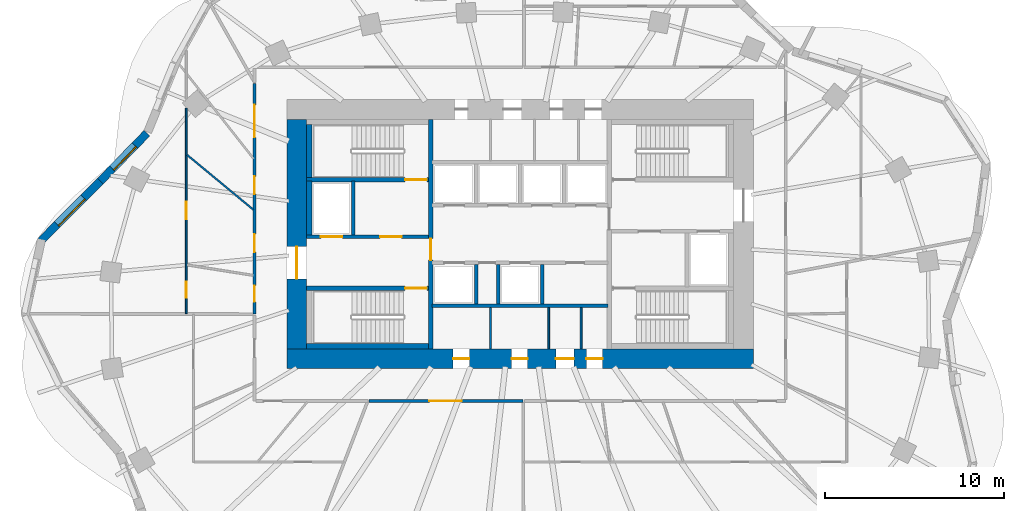
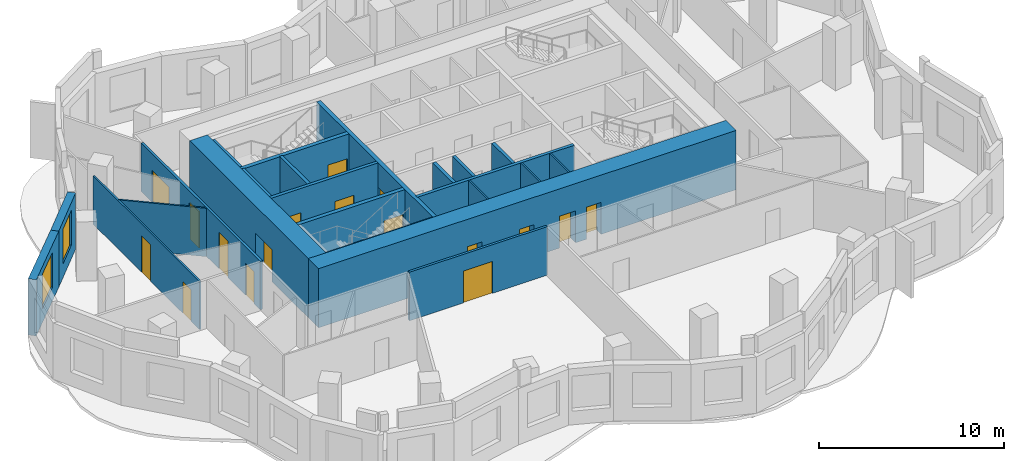
# One storey, part 4 of 10: 23 walls, 17 doors, 2 windows, 19 openings.
"""IFC4 building model written with IfcOpenShell, lengths in metres."""

from ifc_helpers import new_model, si_unit, direction, frame, frame_2d, origin, place, context, subcontext, project, spatial, rectangle, extrude, material, layer, layer_set, type_object, element, fill, save


model = new_model("IFC4")

# Units and contexts
model_context = context("Model", 3, precision=1e-05, world=origin(), true_north=direction((0.0, 1.0)))
body_context = subcontext(model_context, "Body", "Model", "MODEL_VIEW")
ifc_project = project(units=[si_unit("LENGTHUNIT", "METRE"), si_unit("AREAUNIT", "SQUARE_METRE"), si_unit("VOLUMEUNIT", "CUBIC_METRE"), si_unit("PLANEANGLEUNIT", "RADIAN"), si_unit("MASSUNIT", "GRAM", prefix="KILO")], contexts=[model_context])

# Site, building, storey
site_placement = place(None, origin())
site = spatial("IfcSite", under=ifc_project, at=site_placement, CompositionType="ELEMENT")
building_placement = place(site_placement, origin())
building = spatial("IfcBuilding", under=site, at=building_placement, Name="Rubra Terraces Tower", CompositionType="ELEMENT")
storey_placement = place(building_placement, frame((0.0, 0.0, 153.89990234375)))
storey = spatial("IfcBuildingStorey", under=building, at=storey_placement, Name="L37", CompositionType="ELEMENT", Elevation=153.89990234375)

# Wall, opening, window
ifc_material_1 = material(Name="Brick masonry red-brown", Category="masonry")
ifc_layer_1 = layer(ifc_material_1, 0.449951171875)
ifc_layer_set_1 = layer_set([ifc_layer_1], Name="Brick masonry red-brown")
wall_type_1 = type_object("IfcWallType", Name="Brick facade wall 450", PredefinedType="SOLIDWALL", material=ifc_layer_set_1)
wall_1_placement = place(storey_placement, frame((-20.795654296875, 10.1240234375, 0.0), z_axis=(0.0, 0.0, 1.0), x_axis=(-0.697121527554, -0.716952980203, 0.0)))
wall_1 = element("IfcWall", 1, at=wall_1_placement, inside=storey, type_object=wall_type_1, Name="Facade wall L37 bay 18", PredefinedType="SOLIDWALL", context=body_context, shape_type="SweptSolid", body=[
    extrude(rectangle(XDim=3.7177734375, YDim=0.449951171875, at=frame_2d((1.85888671875, 0.0))), origin(), (0.0, 0.0, 1.0), 3.7001953125),
])
opening_1_placement = place(wall_1_placement, frame((0.958984375, 0.0, 0.89990234375)))
opening_1 = element("IfcOpeningElement", 2, at=opening_1_placement, cuts=wall_1, Name="Opening W6B", PredefinedType="OPENING", context=body_context, shape_type="SweptSolid", body=[
    extrude(rectangle(XDim=1.800048828125, YDim=2.300048828125, at=frame_2d((0.89990234375, 1.14990234375))), frame((0.0, 0.23486328125, 0.0), z_axis=(0.0, -1.0, 0.0), x_axis=(1.0, 0.0, 0.0)), (0.0, 0.0, 1.0), 0.469970703125),
])
ifc_material_2 = material(Name="Clear glass in aluminium frame", Category="aluminium")
window_type_1 = type_object("IfcWindowType", Name="Fixed deep-set window at wind fin tall storey 1800 x 2300", PartitioningType="SINGLE_PANEL", PredefinedType="WINDOW", material=ifc_material_2)
window_1_placement = place(opening_1_placement, origin())
window_1 = element("IfcWindow", 3, at=window_1_placement, inside=storey, type_object=window_type_1, Name="Window L37 bay 18", OverallHeight=2.300048828125, OverallWidth=1.800048828125, PartitioningType="SINGLE_PANEL", PredefinedType="WINDOW", context=body_context, shape_type="SweptSolid", body=[
    extrude(rectangle(XDim=1.800048828125, YDim=2.300048828125, at=frame_2d((0.89990234375, 1.14990234375))), frame((0.0, 0.135009765625, 0.0), z_axis=(0.0, -1.0, 0.0), x_axis=(1.0, 0.0, 0.0)), (0.0, 0.0, 1.0), 0.06005859375),
])
fill(opening_1, window_1)

wall_2_placement = place(storey_placement, frame((-23.389892578125, 7.45556640625, 0.0), z_axis=(0.0, 0.0, 1.0), x_axis=(-0.705349231702, -0.708859973011, 0.0)))
wall_2 = element("IfcWall", 4, at=wall_2_placement, inside=storey, type_object=wall_type_1, Name="Facade wall L37 bay 19", PredefinedType="SOLIDWALL", context=body_context, shape_type="SweptSolid", body=[
    extrude(rectangle(XDim=4.728759765625, YDim=0.449951171875, at=frame_2d((2.3642578125, 0.0))), origin(), (0.0, 0.0, 1.0), 3.7001953125),
])
opening_2_placement = place(wall_2_placement, frame((1.314453125, 0.0, 0.89990234375)))
opening_2 = element("IfcOpeningElement", 5, at=opening_2_placement, cuts=wall_2, Name="Opening W1B", PredefinedType="OPENING", context=body_context, shape_type="SweptSolid", body=[
    extrude(rectangle(XDim=2.10009765625, YDim=2.300048828125, at=frame_2d((1.050048828125, 1.14990234375))), frame((0.0, 0.23486328125, 0.0), z_axis=(0.0, -1.0, 0.0), x_axis=(1.0, 0.0, 0.0)), (0.0, 0.0, 1.0), 0.469970703125),
])
window_type_2 = type_object("IfcWindowType", Name="Fixed deep-set window tall storey 2100 x 2300", PartitioningType="SINGLE_PANEL", PredefinedType="WINDOW", material=ifc_material_2)
window_2_placement = place(opening_2_placement, origin())
window_2 = element("IfcWindow", 6, at=window_2_placement, inside=storey, type_object=window_type_2, Name="Window L37 bay 19", OverallHeight=2.300048828125, OverallWidth=2.10009765625, PartitioningType="SINGLE_PANEL", PredefinedType="WINDOW", context=body_context, shape_type="SweptSolid", body=[
    extrude(rectangle(XDim=2.10009765625, YDim=2.300048828125, at=frame_2d((1.050048828125, 1.14990234375))), frame((0.0, 0.135009765625, 0.0), z_axis=(0.0, -1.0, 0.0), x_axis=(1.0, 0.0, 0.0)), (0.0, 0.0, 1.0), 0.06005859375),
])
fill(opening_2, window_2)

# Wall, openings, doors
ifc_material_3 = material(Name="Concrete C60", Category="concrete")
ifc_layer_2 = layer(ifc_material_3, 1.10009765625)
ifc_layer_set_2 = layer_set([ifc_layer_2], Name="Concrete C60")
wall_type_2 = type_object("IfcWallType", Name="CORE WALL 1100 C60", PredefinedType="SHEAR", material=ifc_layer_set_2)
wall_3_placement = place(storey_placement, frame((-13.0, -2.449951171875, 0.0), z_axis=(0.0, 0.0, 1.0), x_axis=(1.0, 0.0, 0.0)))
wall_3 = element("IfcWall", 7, at=wall_3_placement, inside=storey, type_object=wall_type_2, Name="CORE WALL S L37", PredefinedType="SHEAR", context=body_context, shape_type="SweptSolid", body=[
    extrude(rectangle(XDim=26.0, YDim=1.10009765625, at=frame_2d((13.0, 0.0))), origin(), (0.0, 0.0, 1.0), 3.900146484375),
])
opening_3_placement = place(wall_3_placement, frame((9.27490234375, 0.0, 0.0)))
opening_3 = element("IfcOpeningElement", 8, at=opening_3_placement, cuts=wall_3, Name="Opening L37.C21", PredefinedType="OPENING", context=body_context, shape_type="SweptSolid", body=[
    extrude(rectangle(XDim=0.89990234375, YDim=2.10009765625, at=frame_2d((0.449951171875, 1.050048828125))), frame((0.0, 0.56005859375, 0.0), z_axis=(0.0, -1.0, 0.0), x_axis=(1.0, 0.0, 0.0)), (0.0, 0.0, 1.0), 1.1201171875),
])
opening_4_placement = place(wall_3_placement, frame((12.52490234375, 0.0, 0.0)))
opening_4 = element("IfcOpeningElement", 9, at=opening_4_placement, cuts=wall_3, Name="Opening L37.C22", PredefinedType="OPENING", context=body_context, shape_type="SweptSolid", body=[
    extrude(rectangle(XDim=0.89990234375, YDim=2.10009765625, at=frame_2d((0.449951171875, 1.050048828125))), frame((0.0, 0.56005859375, 0.0), z_axis=(0.0, -1.0, 0.0), x_axis=(1.0, 0.0, 0.0)), (0.0, 0.0, 1.0), 1.1201171875),
])
opening_5_placement = place(wall_3_placement, frame((15.0, 0.0, 0.0)))
opening_5 = element("IfcOpeningElement", 10, at=opening_5_placement, cuts=wall_3, Name="Opening L37.C23", PredefinedType="OPENING", context=body_context, shape_type="SweptSolid", body=[
    extrude(rectangle(XDim=1.0, YDim=2.10009765625, at=frame_2d((0.5, 1.050048828125))), frame((0.0, 0.56005859375, 0.0), z_axis=(0.0, -1.0, 0.0), x_axis=(1.0, 0.0, 0.0)), (0.0, 0.0, 1.0), 1.1201171875),
])
opening_6_placement = place(wall_3_placement, frame((16.699951171875, 0.0, 0.0)))
opening_6 = element("IfcOpeningElement", 11, at=opening_6_placement, cuts=wall_3, Name="Opening L37.C24", PredefinedType="OPENING", context=body_context, shape_type="SweptSolid", body=[
    extrude(rectangle(XDim=0.89990234375, YDim=2.10009765625, at=frame_2d((0.449951171875, 1.050048828125))), frame((0.0, 0.56005859375, 0.0), z_axis=(0.0, -1.0, 0.0), x_axis=(1.0, 0.0, 0.0)), (0.0, 0.0, 1.0), 1.1201171875),
])
ifc_material_4 = material(Name="Painted steel", Category="steel")
door_type_1 = type_object("IfcDoorType", Name="Fire door 1000x2100 single", OperationType="NOTDEFINED", PredefinedType="DOOR", material=ifc_material_4)
door_1_placement = place(opening_5_placement, origin())
door_1 = element("IfcDoor", 12, at=door_1_placement, inside=storey, type_object=door_type_1, Name="Accessible WC door", OperationType="SINGLE_SWING_LEFT", OverallHeight=2.10009765625, OverallWidth=1.0, PredefinedType="DOOR", context=body_context, shape_type="SweptSolid", body=[
    extrude(rectangle(XDim=1.0, YDim=2.10009765625, at=frame_2d((0.5, 1.050048828125))), frame((0.0, 0.02490234375, 0.0), z_axis=(0.0, -1.0, 0.0), x_axis=(1.0, 0.0, 0.0)), (0.0, 0.0, 1.0), 0.050048828125),
])
fill(opening_5, door_1)
door_type_2 = type_object("IfcDoorType", Name="Fire door 900x2100 single", OperationType="NOTDEFINED", PredefinedType="DOOR", material=ifc_material_4)
door_2_placement = place(opening_3_placement, origin())
door_2 = element("IfcDoor", 13, at=door_2_placement, inside=storey, type_object=door_type_2, Name="Ladies WC door", OperationType="SINGLE_SWING_LEFT", OverallHeight=2.10009765625, OverallWidth=0.89990234375, PredefinedType="DOOR", context=body_context, shape_type="SweptSolid", body=[
    extrude(rectangle(XDim=0.89990234375, YDim=2.10009765625, at=frame_2d((0.449951171875, 1.050048828125))), frame((0.0, 0.02490234375, 0.0), z_axis=(0.0, -1.0, 0.0), x_axis=(1.0, 0.0, 0.0)), (0.0, 0.0, 1.0), 0.050048828125),
])
fill(opening_3, door_2)
door_3_placement = place(opening_4_placement, origin())
door_3 = element("IfcDoor", 14, at=door_3_placement, inside=storey, type_object=door_type_2, Name="Gents WC door", OperationType="SINGLE_SWING_RIGHT", OverallHeight=2.10009765625, OverallWidth=0.89990234375, PredefinedType="DOOR", context=body_context, shape_type="SweptSolid", body=[
    extrude(rectangle(XDim=0.89990234375, YDim=2.10009765625, at=frame_2d((0.449951171875, 1.050048828125))), frame((0.0, 0.02490234375, 0.0), z_axis=(0.0, -1.0, 0.0), x_axis=(1.0, 0.0, 0.0)), (0.0, 0.0, 1.0), 0.050048828125),
])
fill(opening_4, door_3)
door_4_placement = place(opening_6_placement, origin())
door_4 = element("IfcDoor", 15, at=door_4_placement, inside=storey, type_object=door_type_2, Name="Cleaner's store door", OperationType="SINGLE_SWING_RIGHT", OverallHeight=2.10009765625, OverallWidth=0.89990234375, PredefinedType="DOOR", context=body_context, shape_type="SweptSolid", body=[
    extrude(rectangle(XDim=0.89990234375, YDim=2.10009765625, at=frame_2d((0.449951171875, 1.050048828125))), frame((0.0, 0.02490234375, 0.0), z_axis=(0.0, -1.0, 0.0), x_axis=(1.0, 0.0, 0.0)), (0.0, 0.0, 1.0), 0.050048828125),
])
fill(opening_6, door_4)

# Wall, opening, door
wall_4_placement = place(storey_placement, frame((-12.449951171875, -1.89990234375, 0.0), z_axis=(0.0, 0.0, 1.0), x_axis=(0.0, 1.0, 0.0)))
wall_4 = element("IfcWall", 16, at=wall_4_placement, inside=storey, type_object=wall_type_2, Name="CORE WALL W L37", PredefinedType="SHEAR", context=body_context, shape_type="SweptSolid", body=[
    extrude(rectangle(XDim=12.7998046875, YDim=1.10009765625, at=frame_2d((6.39990234375, 0.0))), origin(), (0.0, 0.0, 1.0), 3.900146484375),
])
opening_7_placement = place(wall_4_placement, frame((3.89990234375, 0.0, 0.0)))
opening_7 = element("IfcOpeningElement", 17, at=opening_7_placement, cuts=wall_4, Name="Opening L37.C01", PredefinedType="OPENING", context=body_context, shape_type="SweptSolid", body=[
    extrude(rectangle(XDim=1.800048828125, YDim=2.10009765625, at=frame_2d((0.89990234375, 1.050048828125))), frame((0.0, 0.56005859375, 0.0), z_axis=(0.0, -1.0, 0.0), x_axis=(1.0, 0.0, 0.0)), (0.0, 0.0, 1.0), 1.1201171875),
])
door_type_3 = type_object("IfcDoorType", Name="Fire door 1800x2100 double", OperationType="NOTDEFINED", PredefinedType="DOOR", material=ifc_material_4)
door_5_placement = place(opening_7_placement, origin())
door_5 = element("IfcDoor", 18, at=door_5_placement, inside=storey, type_object=door_type_3, Name="Core entrance door FF1", OperationType="DOUBLE_DOOR_SINGLE_SWING", OverallHeight=2.10009765625, OverallWidth=1.800048828125, PredefinedType="DOOR", context=body_context, shape_type="SweptSolid", body=[
    extrude(rectangle(XDim=1.800048828125, YDim=2.10009765625, at=frame_2d((0.89990234375, 1.050048828125))), frame((0.0, 0.02490234375, 0.0), z_axis=(0.0, -1.0, 0.0), x_axis=(1.0, 0.0, 0.0)), (0.0, 0.0, 1.0), 0.050048828125),
])
fill(opening_7, door_5)

# Wall, openings, doors
ifc_material_5 = material(Name="Plasterboard on steel stud, mineral wool infill", Category="steel")
ifc_layer_3 = layer(ifc_material_5, 0.14990234375)
ifc_layer_set_3 = layer_set([ifc_layer_3], Name="Plasterboard on steel stud, mineral wool infill")
wall_type_3 = type_object("IfcWallType", Name="CORRIDOR PARTITION 150", PredefinedType="PARTITIONING", material=ifc_layer_set_3)
wall_5_placement = place(storey_placement, frame((-14.800048828125, 12.881591796875, 0.0), z_axis=(0.0, 0.0, 1.0), x_axis=(0.0, -1.0, 0.0)))
wall_5 = element("IfcWall", 19, at=wall_5_placement, inside=storey, type_object=wall_type_3, Name="PARTITION", PredefinedType="PARTITIONING", context=body_context, shape_type="SweptSolid", body=[
    extrude(rectangle(XDim=12.838623046875, YDim=0.14990234375, at=frame_2d((6.41943359375, 0.0))), origin(), (0.0, 0.0, 1.0), 3.197998046875),
])
opening_8_placement = place(wall_5_placement, frame((1.18408203125, 0.0, 0.0)))
opening_8 = element("IfcOpeningElement", 20, at=opening_8_placement, cuts=wall_5, Name="Opening 37-104", PredefinedType="OPENING", context=body_context, shape_type="SweptSolid", body=[
    extrude(rectangle(XDim=1.800048828125, YDim=2.10009765625, at=frame_2d((0.89990234375, 1.050048828125))), frame((0.0, 0.0849609375, 0.0), z_axis=(0.0, -1.0, 0.0), x_axis=(1.0, 0.0, 0.0)), (0.0, 0.0, 1.0), 0.169921875),
])
opening_9_placement = place(wall_5_placement, frame((5.157958984375, 0.0, 0.0)))
opening_9 = element("IfcOpeningElement", 21, at=opening_9_placement, cuts=wall_5, Name="Opening 37-105", PredefinedType="OPENING", context=body_context, shape_type="SweptSolid", body=[
    extrude(rectangle(XDim=1.0, YDim=2.39990234375, at=frame_2d((0.5, 1.199951171875))), frame((0.0, 0.0849609375, 0.0), z_axis=(0.0, -1.0, 0.0), x_axis=(1.0, 0.0, 0.0)), (0.0, 0.0, 1.0), 0.169921875),
])
opening_10_placement = place(wall_5_placement, frame((8.382080078125, 0.0, 0.0)))
opening_10 = element("IfcOpeningElement", 22, at=opening_10_placement, cuts=wall_5, Name="Opening 37-106", PredefinedType="OPENING", context=body_context, shape_type="SweptSolid", body=[
    extrude(rectangle(XDim=1.0, YDim=2.39990234375, at=frame_2d((0.5, 1.199951171875))), frame((0.0, 0.0849609375, 0.0), z_axis=(0.0, -1.0, 0.0), x_axis=(1.0, 0.0, 0.0)), (0.0, 0.0, 1.0), 0.169921875),
])
opening_11_placement = place(wall_5_placement, frame((11.25, 0.0, 0.0)))
opening_11 = element("IfcOpeningElement", 23, at=opening_11_placement, cuts=wall_5, Name="Opening 37-127", PredefinedType="OPENING", context=body_context, shape_type="SweptSolid", body=[
    extrude(rectangle(XDim=0.89990234375, YDim=2.10009765625, at=frame_2d((0.449951171875, 1.050048828125))), frame((0.0, 0.0849609375, 0.0), z_axis=(0.0, -1.0, 0.0), x_axis=(1.0, 0.0, 0.0)), (0.0, 0.0, 1.0), 0.169921875),
])
ifc_material_6 = material(Name="Painted timber door leaf", Category="wood")
door_type_4 = type_object("IfcDoorType", Name="BATHROOM DOOR 900 X 2100", OperationType="SINGLE_SWING_LEFT", PredefinedType="DOOR", material=ifc_material_6)
door_6_placement = place(opening_11_placement, origin())
door_6 = element("IfcDoor", 24, at=door_6_placement, inside=storey, type_object=door_type_4, Name="DOOR 37-127", OperationType="SINGLE_SWING_RIGHT", OverallHeight=2.10009765625, OverallWidth=0.89990234375, PredefinedType="DOOR", context=body_context, shape_type="SweptSolid", body=[
    extrude(rectangle(XDim=0.89990234375, YDim=2.10009765625, at=frame_2d((0.449951171875, 1.050048828125))), frame((0.0, 0.02490234375, 0.0), z_axis=(0.0, -1.0, 0.0), x_axis=(1.0, 0.0, 0.0)), (0.0, 0.0, 1.0), 0.050048828125),
])
fill(opening_11, door_6)
ifc_material_7 = material(Name="Glazed aluminium meeting door leaf", Category="aluminium")
door_type_5 = type_object("IfcDoorType", Name="MEETING ROOM GLAZED DOOR 1000 X 2400", OperationType="SINGLE_SWING_LEFT", PredefinedType="DOOR", material=ifc_material_7)
door_7_placement = place(opening_9_placement, origin())
door_7 = element("IfcDoor", 25, at=door_7_placement, inside=storey, type_object=door_type_5, Name="DOOR 37-105", OperationType="SINGLE_SWING_RIGHT", OverallHeight=2.39990234375, OverallWidth=1.0, PredefinedType="DOOR", context=body_context, shape_type="SweptSolid", body=[
    extrude(rectangle(XDim=1.0, YDim=2.39990234375, at=frame_2d((0.5, 1.199951171875))), frame((0.0, 0.02490234375, 0.0), z_axis=(0.0, -1.0, 0.0), x_axis=(1.0, 0.0, 0.0)), (0.0, 0.0, 1.0), 0.050048828125),
])
fill(opening_9, door_7)
door_8_placement = place(opening_10_placement, origin())
door_8 = element("IfcDoor", 26, at=door_8_placement, inside=storey, type_object=door_type_5, Name="DOOR 37-106", OperationType="SINGLE_SWING_RIGHT", OverallHeight=2.39990234375, OverallWidth=1.0, PredefinedType="DOOR", context=body_context, shape_type="SweptSolid", body=[
    extrude(rectangle(XDim=1.0, YDim=2.39990234375, at=frame_2d((0.5, 1.199951171875))), frame((0.0, 0.02490234375, 0.0), z_axis=(0.0, -1.0, 0.0), x_axis=(1.0, 0.0, 0.0)), (0.0, 0.0, 1.0), 0.050048828125),
])
fill(opening_10, door_8)
ifc_material_8 = material(Name="Painted timber door leaf, double", Category="wood")
door_type_6 = type_object("IfcDoorType", Name="ROOM DOUBLE DOOR 1800 X 2100", OperationType="DOUBLE_DOOR_SINGLE_SWING", PredefinedType="DOOR", material=ifc_material_8)
door_9_placement = place(opening_8_placement, origin())
door_9 = element("IfcDoor", 27, at=door_9_placement, inside=storey, type_object=door_type_6, Name="DOOR 37-104", OperationType="DOUBLE_DOOR_SINGLE_SWING", OverallHeight=2.10009765625, OverallWidth=1.800048828125, PredefinedType="DOOR", context=body_context, shape_type="SweptSolid", body=[
    extrude(rectangle(XDim=1.800048828125, YDim=2.10009765625, at=frame_2d((0.89990234375, 1.050048828125))), frame((0.0, 0.02490234375, 0.0), z_axis=(0.0, -1.0, 0.0), x_axis=(1.0, 0.0, 0.0)), (0.0, 0.0, 1.0), 0.050048828125),
])
fill(opening_8, door_9)

# Wall, opening, door
wall_6_placement = place(storey_placement, frame((-8.41064453125, -4.800048828125, 0.0), z_axis=(0.0, 0.0, 1.0), x_axis=(1.0, 0.0, 0.0)))
wall_6 = element("IfcWall", 28, at=wall_6_placement, inside=storey, type_object=wall_type_3, Name="PARTITION", PredefinedType="PARTITIONING", context=body_context, shape_type="SweptSolid", body=[
    extrude(rectangle(XDim=8.584228515625, YDim=0.14990234375, at=frame_2d((4.2919921875, 0.0))), origin(), (0.0, 0.0, 1.0), 3.197998046875),
])
opening_12_placement = place(wall_6_placement, frame((3.35498046875, 0.0, 0.0)))
opening_12 = element("IfcOpeningElement", 29, at=opening_12_placement, cuts=wall_6, Name="Opening 37-112", PredefinedType="OPENING", context=body_context, shape_type="SweptSolid", body=[
    extrude(rectangle(XDim=1.800048828125, YDim=2.10009765625, at=frame_2d((0.89990234375, 1.050048828125))), frame((0.0, 0.0849609375, 0.0), z_axis=(0.0, -1.0, 0.0), x_axis=(1.0, 0.0, 0.0)), (0.0, 0.0, 1.0), 0.169921875),
])
door_10_placement = place(opening_12_placement, origin())
door_10 = element("IfcDoor", 30, at=door_10_placement, inside=storey, type_object=door_type_6, Name="DOOR 37-112", OperationType="DOUBLE_DOOR_SINGLE_SWING", OverallHeight=2.10009765625, OverallWidth=1.800048828125, PredefinedType="DOOR", context=body_context, shape_type="SweptSolid", body=[
    extrude(rectangle(XDim=1.800048828125, YDim=2.10009765625, at=frame_2d((0.89990234375, 1.050048828125))), frame((0.0, 0.02490234375, 0.0), z_axis=(0.0, -1.0, 0.0), x_axis=(1.0, 0.0, 0.0)), (0.0, 0.0, 1.0), 0.050048828125),
])
fill(opening_12, door_10)

# Walls
ifc_material_9 = material(Name="Concrete C40", Category="concrete")
ifc_layer_4 = layer(ifc_material_9, 0.300048828125)
ifc_layer_set_4 = layer_set([ifc_layer_4], Name="Concrete C40")
wall_type_4 = type_object("IfcWallType", Name="Core lining wall 300 concrete", PredefinedType="SOLIDWALL", material=ifc_layer_set_4)
wall_7_placement = place(storey_placement, frame((-11.89990234375, -1.75, 0.0), z_axis=(0.0, 0.0, 1.0), x_axis=(1.0, 0.0, 0.0)))
element("IfcWall", 31, at=wall_7_placement, inside=storey, type_object=wall_type_4, Name="CORE LINING WALL L37", PredefinedType="SOLIDWALL", context=body_context, shape_type="SweptSolid", body=[
    extrude(rectangle(XDim=6.7998046875, YDim=0.300048828125, at=frame_2d((3.39990234375, 0.0))), origin(), (0.0, 0.0, 1.0), 3.7001953125),
])
wall_8_placement = place(storey_placement, frame((-11.75, 4.449951171875, 0.0), z_axis=(0.0, 0.0, 1.0), x_axis=(0.0, 1.0, 0.0)))
element("IfcWall", 32, at=wall_8_placement, inside=storey, type_object=wall_type_4, Name="CORE LINING WALL L37", PredefinedType="SOLIDWALL", context=body_context, shape_type="SweptSolid", body=[
    extrude(rectangle(XDim=3.0, YDim=0.300048828125, at=frame_2d((1.5, 0.0))), origin(), (0.0, 0.0, 1.0), 3.7001953125),
])
wall_9_placement = place(storey_placement, frame((-11.75, 7.64990234375, 0.0), z_axis=(0.0, 0.0, 1.0), x_axis=(0.0, 1.0, 0.0)))
element("IfcWall", 33, at=wall_9_placement, inside=storey, type_object=wall_type_4, Name="CORE LINING WALL L37", PredefinedType="SOLIDWALL", context=body_context, shape_type="SweptSolid", body=[
    extrude(rectangle(XDim=2.9501953125, YDim=0.300048828125, at=frame_2d((1.47509765625, 0.0))), origin(), (0.0, 0.0, 1.0), 3.7001953125),
])

# Wall, openings, doors
ifc_material_10 = material(Name="Concrete C30", Category="concrete")
ifc_layer_5 = layer(ifc_material_10, 0.199951171875)
ifc_layer_set_5 = layer_set([ifc_layer_5], Name="Concrete C30")
wall_type_5 = type_object("IfcWallType", Name="Core wall 200 concrete", PredefinedType="SOLIDWALL", material=ifc_layer_set_5)
wall_10_placement = place(storey_placement, frame((-11.89990234375, 4.35009765625, 0.0), z_axis=(0.0, 0.0, 1.0), x_axis=(1.0, 0.0, 0.0)))
wall_10 = element("IfcWall", 34, at=wall_10_placement, inside=storey, type_object=wall_type_5, Name="STAIR WALL L37", PredefinedType="SOLIDWALL", context=body_context, shape_type="SweptSolid", body=[
    extrude(rectangle(XDim=6.7998046875, YDim=0.199951171875, at=frame_2d((3.39990234375, 0.0))), origin(), (0.0, 0.0, 1.0), 3.7001953125),
])
opening_13_placement = place(wall_10_placement, frame((4.10009765625, 0.0, 0.0)))
opening_13 = element("IfcOpeningElement", 35, at=opening_13_placement, cuts=wall_10, Name="Opening L37.C05", PredefinedType="OPENING", context=body_context, shape_type="SweptSolid", body=[
    extrude(rectangle(XDim=1.199951171875, YDim=2.10009765625, at=frame_2d((0.60009765625, 1.050048828125))), frame((0.0, 0.10986328125, 0.0), z_axis=(0.0, -1.0, 0.0), x_axis=(1.0, 0.0, 0.0)), (0.0, 0.0, 1.0), 0.219970703125),
])
opening_14_placement = place(wall_10_placement, frame((0.800048828125, 0.0, 0.0)))
opening_14 = element("IfcOpeningElement", 36, at=opening_14_placement, cuts=wall_10, Name="Opening L37.C11", PredefinedType="OPENING", context=body_context, shape_type="SweptSolid", body=[
    extrude(rectangle(XDim=1.199951171875, YDim=2.10009765625, at=frame_2d((0.60009765625, 1.050048828125))), frame((0.0, 0.10986328125, 0.0), z_axis=(0.0, -1.0, 0.0), x_axis=(1.0, 0.0, 0.0)), (0.0, 0.0, 1.0), 0.219970703125),
])
door_type_7 = type_object("IfcDoorType", Name="Fire door 1200x2100 single", OperationType="NOTDEFINED", PredefinedType="DOOR", material=ifc_material_4)
door_11_placement = place(opening_13_placement, origin())
door_11 = element("IfcDoor", 37, at=door_11_placement, inside=storey, type_object=door_type_7, Name="Stair vestibule door S2", OperationType="SINGLE_SWING_LEFT", OverallHeight=2.10009765625, OverallWidth=1.199951171875, PredefinedType="DOOR", context=body_context, shape_type="SweptSolid", body=[
    extrude(rectangle(XDim=1.199951171875, YDim=2.10009765625, at=frame_2d((0.60009765625, 1.050048828125))), frame((0.0, 0.02490234375, 0.0), z_axis=(0.0, -1.0, 0.0), x_axis=(1.0, 0.0, 0.0)), (0.0, 0.0, 1.0), 0.050048828125),
])
fill(opening_13, door_11)
ifc_material_11 = material(Name="Stainless steel", Category="steel")
door_type_8 = type_object("IfcDoorType", Name="Lift landing door 1200x2100", OperationType="NOTDEFINED", PredefinedType="DOOR", material=ifc_material_11)
door_12_placement = place(opening_14_placement, origin())
door_12 = element("IfcDoor", 38, at=door_12_placement, inside=storey, type_object=door_type_8, Name="Landing door FF1", OperationType="SLIDING_TO_RIGHT", OverallHeight=2.10009765625, OverallWidth=1.199951171875, PredefinedType="DOOR", context=body_context, shape_type="SweptSolid", body=[
    extrude(rectangle(XDim=1.199951171875, YDim=2.10009765625, at=frame_2d((0.60009765625, 1.050048828125))), frame((0.0, 0.02490234375, 0.0), z_axis=(0.0, -1.0, 0.0), x_axis=(1.0, 0.0, 0.0)), (0.0, 0.0, 1.0), 0.050048828125),
])
fill(opening_14, door_12)

# Walls
wall_11_placement = place(storey_placement, frame((-9.300048828125, 4.449951171875, 0.0), z_axis=(0.0, 0.0, 1.0), x_axis=(0.0, 1.0, 0.0)))
element("IfcWall", 39, at=wall_11_placement, inside=storey, type_object=wall_type_5, Name="STAIR WALL L37", PredefinedType="SOLIDWALL", context=body_context, shape_type="SweptSolid", body=[
    extrude(rectangle(XDim=3.0, YDim=0.199951171875, at=frame_2d((1.5, 0.0))), origin(), (0.0, 0.0, 1.0), 3.7001953125),
])
wall_12_placement = place(storey_placement, frame((-4.89990234375, 0.5, 0.0), z_axis=(0.0, 0.0, 1.0), x_axis=(1.0, 0.0, 0.0)))
element("IfcWall", 40, at=wall_12_placement, inside=storey, type_object=wall_type_5, Name="LIFT SHAFT WALL L37", PredefinedType="SOLIDWALL", context=body_context, shape_type="SweptSolid", body=[
    extrude(rectangle(XDim=9.7998046875, YDim=0.199951171875, at=frame_2d((4.89990234375, 0.0))), origin(), (0.0, 0.0, 1.0), 3.7001953125),
])
for number, where, z_axis, x_axis, name in (
    (41, (-2.449951171875, 0.60009765625, 0.0), (0.0, 0.0, 1.0), (0.0, 1.0, 0.0), "LIFT SHAFT WALL L37"),
    (42, (-1.22509765625, 0.60009765625, 0.0), (0.0, 0.0, 1.0), (0.0, 1.0, 0.0), "LIFT SHAFT WALL L37"),
    (43, (1.22509765625, 0.60009765625, 0.0), (0.0, 0.0, 1.0), (0.0, 1.0, 0.0), "LIFT SHAFT WALL L37"),
):
    element("IfcWall", number, at=place(storey_placement, frame(where, z_axis=z_axis, x_axis=x_axis)), inside=storey, type_object=wall_type_5, Name=name, PredefinedType="SOLIDWALL", context=body_context, shape_type="SweptSolid", body=[
        extrude(rectangle(XDim=2.199951171875, YDim=0.199951171875, at=frame_2d((1.10009765625, 0.0))), origin(), (0.0, 0.0, 1.0), 3.7001953125),
    ])

# Wall, openings, doors
ifc_material_12 = material(Name="Plasterboard on steel stud", Category="steel")
ifc_layer_6 = layer(ifc_material_12, 0.10009765625)
ifc_layer_set_6 = layer_set([ifc_layer_6], Name="Plasterboard on steel stud")
wall_type_6 = type_object("IfcWallType", Name="ROOM PARTITION 100", PredefinedType="PARTITIONING", material=ifc_layer_set_6)
wall_13_placement = place(storey_placement, frame((-18.60009765625, 0.0673828125, 0.0), z_axis=(0.0, 0.0, 1.0), x_axis=(0.0, 1.0, 0.0)))
wall_13 = element("IfcWall", 44, at=wall_13_placement, inside=storey, type_object=wall_type_6, Name="PARTITION", PredefinedType="PARTITIONING", context=body_context, shape_type="SweptSolid", body=[
    extrude(rectangle(XDim=11.45458984375, YDim=0.10009765625, at=frame_2d((5.727294921875, 0.0))), origin(), (0.0, 0.0, 1.0), 3.18408203125),
])
opening_15_placement = place(wall_13_placement, frame((0.889892578125, 0.0, 0.0)))
opening_15 = element("IfcOpeningElement", 45, at=opening_15_placement, cuts=wall_13, Name="Opening 37-107", PredefinedType="OPENING", context=body_context, shape_type="SweptSolid", body=[
    extrude(rectangle(XDim=0.89990234375, YDim=2.10009765625, at=frame_2d((0.449951171875, 1.050048828125))), frame((0.0, 0.06005859375, 0.0), z_axis=(0.0, -1.0, 0.0), x_axis=(1.0, 0.0, 0.0)), (0.0, 0.0, 1.0), 0.1201171875),
])
opening_16_placement = place(wall_13_placement, frame((5.25, 0.0, 0.0)))
opening_16 = element("IfcOpeningElement", 46, at=opening_16_placement, cuts=wall_13, Name="Opening 37-126", PredefinedType="OPENING", context=body_context, shape_type="SweptSolid", body=[
    extrude(rectangle(XDim=1.0, YDim=2.39990234375, at=frame_2d((0.5, 1.199951171875))), frame((0.0, 0.06005859375, 0.0), z_axis=(0.0, -1.0, 0.0), x_axis=(1.0, 0.0, 0.0)), (0.0, 0.0, 1.0), 0.1201171875),
])
door_13_placement = place(opening_16_placement, origin())
door_13 = element("IfcDoor", 47, at=door_13_placement, inside=storey, type_object=door_type_5, Name="DOOR 37-126", OperationType="SINGLE_SWING_LEFT", OverallHeight=2.39990234375, OverallWidth=1.0, PredefinedType="DOOR", context=body_context, shape_type="SweptSolid", body=[
    extrude(rectangle(XDim=1.0, YDim=2.39990234375, at=frame_2d((0.5, 1.199951171875))), frame((0.0, 0.02490234375, 0.0), z_axis=(0.0, -1.0, 0.0), x_axis=(1.0, 0.0, 0.0)), (0.0, 0.0, 1.0), 0.050048828125),
])
fill(opening_16, door_13)
door_type_9 = type_object("IfcDoorType", Name="ROOM DOOR 900 X 2100", OperationType="SINGLE_SWING_LEFT", PredefinedType="DOOR", material=ifc_material_6)
door_14_placement = place(opening_15_placement, origin())
door_14 = element("IfcDoor", 48, at=door_14_placement, inside=storey, type_object=door_type_9, Name="DOOR 37-107", OperationType="SINGLE_SWING_LEFT", OverallHeight=2.10009765625, OverallWidth=0.89990234375, PredefinedType="DOOR", context=body_context, shape_type="SweptSolid", body=[
    extrude(rectangle(XDim=0.89990234375, YDim=2.10009765625, at=frame_2d((0.449951171875, 1.050048828125))), frame((0.0, 0.02490234375, 0.0), z_axis=(0.0, -1.0, 0.0), x_axis=(1.0, 0.0, 0.0)), (0.0, 0.0, 1.0), 0.050048828125),
])
fill(opening_15, door_14)

# Walls
wall_14_placement = place(storey_placement, frame((-14.85791015625, 5.856689453125, 0.0), z_axis=(0.0, 0.0, 1.0), x_axis=(-0.770605931108, 0.637311932213, 0.0)))
element("IfcWall", 49, at=wall_14_placement, inside=storey, type_object=wall_type_6, Name="PARTITION", PredefinedType="PARTITIONING", context=body_context, shape_type="SweptSolid", body=[
    extrude(rectangle(XDim=4.80615234375, YDim=0.10009765625, at=frame_2d((2.403076171875, 0.0))), origin(), (0.0, 0.0, 1.0), 3.18408203125),
])
ifc_material_13 = material(Name="Blockwork", Category="masonry")
ifc_layer_7 = layer(ifc_material_13, 0.10009765625)
ifc_layer_set_7 = layer_set([ifc_layer_7], Name="Blockwork")
wall_type_7 = type_object("IfcWallType", Name="Service partition 100 blockwork", PredefinedType="PARTITIONING", material=ifc_layer_set_7)
for number, where, z_axis, x_axis, name in (
    (50, (-1.64990234375, -1.89990234375, 0.0), (0.0, 0.0, 1.0), (0.0, 1.0, 0.0), "SERVICE ROOM PARTITION L37"),
    (51, (1.60009765625, -1.89990234375, 0.0), (0.0, 0.0, 1.0), (0.0, 1.0, 0.0), "SERVICE ROOM PARTITION L37"),
    (52, (3.39990234375, -1.89990234375, 0.0), (0.0, 0.0, 1.0), (0.0, 1.0, 0.0), "SERVICE ROOM PARTITION L37"),
):
    element("IfcWall", number, at=place(storey_placement, frame(where, z_axis=z_axis, x_axis=x_axis)), inside=storey, type_object=wall_type_7, Name=name, PredefinedType="PARTITIONING", context=body_context, shape_type="SweptSolid", body=[
        extrude(rectangle(XDim=2.2998046875, YDim=0.10009765625, at=frame_2d((1.14990234375, 0.0))), origin(), (0.0, 0.0, 1.0), 3.7001953125),
    ])

# Wall, opening, door
ifc_layer_8 = layer(ifc_material_9, 0.25)
ifc_layer_set_8 = layer_set([ifc_layer_8], Name="Concrete C40")
wall_type_8 = type_object("IfcWallType", Name="Stair enclosure wall 250 concrete", PredefinedType="SOLIDWALL", material=ifc_layer_set_8)
wall_15_placement = place(storey_placement, frame((-11.89990234375, 1.47509765625, 0.0), z_axis=(0.0, 0.0, 1.0), x_axis=(1.0, 0.0, 0.0)))
wall_15 = element("IfcWall", 53, at=wall_15_placement, inside=storey, type_object=wall_type_8, Name="STAIR WALL L37", PredefinedType="SOLIDWALL", context=body_context, shape_type="SweptSolid", body=[
    extrude(rectangle(XDim=6.7998046875, YDim=0.25, at=frame_2d((3.39990234375, 0.0))), origin(), (0.0, 0.0, 1.0), 3.7001953125),
])
opening_17_placement = place(wall_15_placement, frame((5.5, 0.0, 0.0)))
opening_17 = element("IfcOpeningElement", 54, at=opening_17_placement, cuts=wall_15, Name="Opening L37.C07", PredefinedType="OPENING", context=body_context, shape_type="SweptSolid", body=[
    extrude(rectangle(XDim=1.199951171875, YDim=2.10009765625, at=frame_2d((0.60009765625, 1.050048828125))), frame((0.0, 0.135009765625, 0.0), z_axis=(0.0, -1.0, 0.0), x_axis=(1.0, 0.0, 0.0)), (0.0, 0.0, 1.0), 0.27001953125),
])
door_15_placement = place(opening_17_placement, origin())
door_15 = element("IfcDoor", 55, at=door_15_placement, inside=storey, type_object=door_type_7, Name="Stair door S1", OperationType="SINGLE_SWING_LEFT", OverallHeight=2.10009765625, OverallWidth=1.199951171875, PredefinedType="DOOR", context=body_context, shape_type="SweptSolid", body=[
    extrude(rectangle(XDim=1.199951171875, YDim=2.10009765625, at=frame_2d((0.60009765625, 1.050048828125))), frame((0.0, 0.02490234375, 0.0), z_axis=(0.0, -1.0, 0.0), x_axis=(1.0, 0.0, 0.0)), (0.0, 0.0, 1.0), 0.050048828125),
])
fill(opening_17, door_15)

wall_16_placement = place(storey_placement, frame((-11.89990234375, 7.52490234375, 0.0), z_axis=(0.0, 0.0, 1.0), x_axis=(1.0, 0.0, 0.0)))
wall_16 = element("IfcWall", 56, at=wall_16_placement, inside=storey, type_object=wall_type_8, Name="STAIR WALL L37", PredefinedType="SOLIDWALL", context=body_context, shape_type="SweptSolid", body=[
    extrude(rectangle(XDim=6.7998046875, YDim=0.25, at=frame_2d((3.39990234375, 0.0))), origin(), (0.0, 0.0, 1.0), 3.7001953125),
])
opening_18_placement = place(wall_16_placement, frame((5.5, 0.0, 0.0)))
opening_18 = element("IfcOpeningElement", 57, at=opening_18_placement, cuts=wall_16, Name="Opening L37.C09", PredefinedType="OPENING", context=body_context, shape_type="SweptSolid", body=[
    extrude(rectangle(XDim=1.199951171875, YDim=2.10009765625, at=frame_2d((0.60009765625, 1.050048828125))), frame((0.0, 0.135009765625, 0.0), z_axis=(0.0, -1.0, 0.0), x_axis=(1.0, 0.0, 0.0)), (0.0, 0.0, 1.0), 0.27001953125),
])
door_16_placement = place(opening_18_placement, origin())
door_16 = element("IfcDoor", 58, at=door_16_placement, inside=storey, type_object=door_type_7, Name="Stair door S2", OperationType="SINGLE_SWING_LEFT", OverallHeight=2.10009765625, OverallWidth=1.199951171875, PredefinedType="DOOR", context=body_context, shape_type="SweptSolid", body=[
    extrude(rectangle(XDim=1.199951171875, YDim=2.10009765625, at=frame_2d((0.60009765625, 1.050048828125))), frame((0.0, 0.02490234375, 0.0), z_axis=(0.0, -1.0, 0.0), x_axis=(1.0, 0.0, 0.0)), (0.0, 0.0, 1.0), 0.050048828125),
])
fill(opening_18, door_16)

wall_17_placement = place(storey_placement, frame((-4.97509765625, -1.89990234375, 0.0), z_axis=(0.0, 0.0, 1.0), x_axis=(0.0, 1.0, 0.0)))
wall_17 = element("IfcWall", 59, at=wall_17_placement, inside=storey, type_object=wall_type_8, Name="CORE LOBBY WALL L37", PredefinedType="SOLIDWALL", context=body_context, shape_type="SweptSolid", body=[
    extrude(rectangle(XDim=12.7998046875, YDim=0.25, at=frame_2d((6.39990234375, 0.0))), origin(), (0.0, 0.0, 1.0), 3.7001953125),
])
opening_19_placement = place(wall_17_placement, frame((4.949951171875, 0.0, 0.0)))
opening_19 = element("IfcOpeningElement", 60, at=opening_19_placement, cuts=wall_17, Name="Opening L37.C03", PredefinedType="OPENING", context=body_context, shape_type="SweptSolid", body=[
    extrude(rectangle(XDim=1.199951171875, YDim=2.10009765625, at=frame_2d((0.60009765625, 1.050048828125))), frame((0.0, 0.135009765625, 0.0), z_axis=(0.0, -1.0, 0.0), x_axis=(1.0, 0.0, 0.0)), (0.0, 0.0, 1.0), 0.27001953125),
])
door_17_placement = place(opening_19_placement, origin())
door_17 = element("IfcDoor", 61, at=door_17_placement, inside=storey, type_object=door_type_7, Name="Firefighting lobby door FF1", OperationType="SINGLE_SWING_LEFT", OverallHeight=2.10009765625, OverallWidth=1.199951171875, PredefinedType="DOOR", context=body_context, shape_type="SweptSolid", body=[
    extrude(rectangle(XDim=1.199951171875, YDim=2.10009765625, at=frame_2d((0.60009765625, 1.050048828125))), frame((0.0, 0.02490234375, 0.0), z_axis=(0.0, -1.0, 0.0), x_axis=(1.0, 0.0, 0.0)), (0.0, 0.0, 1.0), 0.050048828125),
])
fill(opening_19, door_17)

save(model, "model.ifc")
